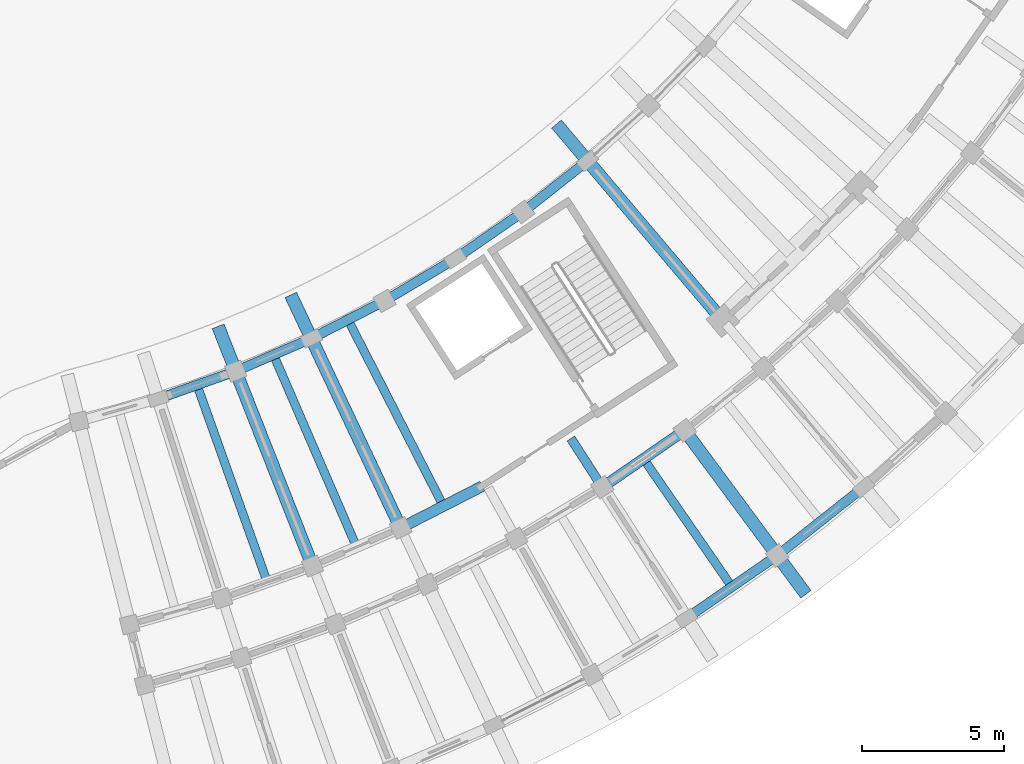
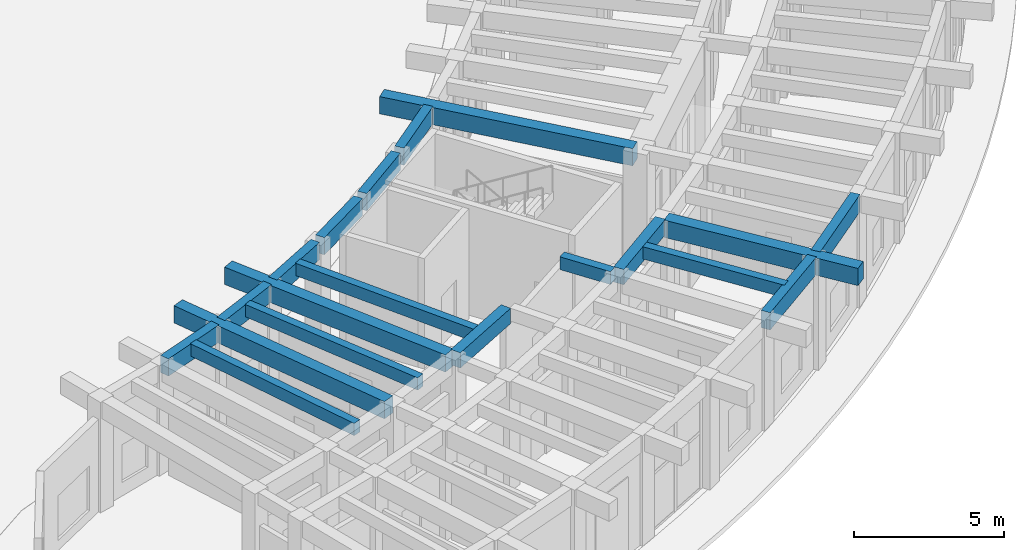
# One storey, part 54 of 132: 19 beams.
"""IFC4 building model written with IfcOpenShell, lengths in metres."""

from ifc_helpers import new_model, si_unit, direction, frame, origin, origin_2d, place, context, subcontext, project, spatial, rectangle, extrude, material, material_profile, profile_set, type_object, element, save


model = new_model("IFC4")

# Units and contexts
model_context = context("Model", 3, precision=1e-05, world=origin(), true_north=direction((0.0, 1.0)))
body_context = subcontext(model_context, "Body", "Model", "MODEL_VIEW")
ifc_project = project(units=[si_unit("LENGTHUNIT", "METRE"), si_unit("AREAUNIT", "SQUARE_METRE"), si_unit("VOLUMEUNIT", "CUBIC_METRE"), si_unit("PLANEANGLEUNIT", "RADIAN"), si_unit("MASSUNIT", "GRAM", prefix="KILO")], contexts=[model_context])

# Site, building, storey
site_placement = place(None, origin())
site = spatial("IfcSite", under=ifc_project, at=site_placement, CompositionType="ELEMENT")
building_placement = place(site_placement, origin())
building = spatial("IfcBuilding", under=site, at=building_placement, Name="Tanwirah Colonnade Gardens", CompositionType="ELEMENT")
storey_placement = place(building_placement, origin())
storey = spatial("IfcBuildingStorey", under=building, at=storey_placement, Name="L00", CompositionType="ELEMENT", Elevation=0.0)

# Beams
ifc_material_1 = material(Name="Precast concrete C40/50", Category="concrete")
ifc_material_profile_1 = material_profile(ifc_material_1, rectangle(XDim=0.320068359375, YDim=0.52001953125, at=origin_2d()), Name="PC-BM 320x520")
ifc_profile_set_1 = profile_set([ifc_material_profile_1], Name="Precast concrete C40/50")
beam_type_1 = type_object("IfcBeamType", Name="BM-PC320", PredefinedType="BEAM", material=ifc_profile_set_1)
beam_1_placement = place(storey_placement, frame((149.130615234375, 20.765869140625, 4.22509765625), z_axis=(0.540984881989, -0.841032316537, 0.0), x_axis=(0.841032316537, 0.540984881989, 0.0)))
element("IfcBeam", 1, at=beam_1_placement, inside=storey, type_object=beam_type_1, Name="Block D L00 Corridor Tie Beam 5", PredefinedType="BEAM", context=body_context, shape_type="SweptSolid", body=[
    extrude(rectangle(XDim=0.320068359375, YDim=0.52001953125, at=origin_2d()), origin(), (0.0, 0.0, 1.0), 1.89990234375),
])
ifc_material_profile_2 = material_profile(ifc_material_1, rectangle(XDim=0.3798828125, YDim=0.6201171875, at=origin_2d()), Name="PC-BM 380x620")
ifc_profile_set_2 = profile_set([ifc_material_profile_2], Name="Precast concrete C40/50")
beam_type_2 = type_object("IfcBeamType", Name="BM-PC380", PredefinedType="BEAM", material=ifc_profile_set_2)
beam_2_placement = place(storey_placement, frame((143.2509765625, 17.67236328125, 4.175048828125), z_axis=(0.890027741769, 0.45590637074, 0.0), x_axis=(-0.45590637074, 0.890027741769, 0.0)))
element("IfcBeam", 2, at=beam_2_placement, inside=storey, type_object=beam_type_2, Name="Block D L00 Circumferential Beam 3-R1", PredefinedType="BEAM", context=body_context, shape_type="SweptSolid", body=[
    extrude(rectangle(XDim=0.3798828125, YDim=0.6201171875, at=origin_2d()), origin(), (0.0, 0.0, 1.0), 3.093017578125),
])
beam_3_placement = place(storey_placement, frame((150.363037109375, 19.126953125, 4.175048828125), z_axis=(0.822889344221, 0.568201660651, 0.0), x_axis=(-0.568201660651, 0.822889344221, 0.0)))
element("IfcBeam", 3, at=beam_3_placement, inside=storey, type_object=beam_type_2, Name="Block D L00 Circumferential Beam 5-R2", PredefinedType="BEAM", context=body_context, shape_type="SweptSolid", body=[
    extrude(rectangle(XDim=0.3798828125, YDim=0.6201171875, at=origin_2d()), origin(), (0.0, 0.0, 1.0), 3.237060546875),
])
ifc_material_2 = material(Name="Precast concrete C45/55", Category="concrete")
ifc_material_profile_3 = material_profile(ifc_material_2, rectangle(XDim=0.449951171875, YDim=0.699951171875, at=origin_2d()), Name="PC-BM 450x700")
ifc_profile_set_3 = profile_set([ifc_material_profile_3], Name="Precast concrete C45/55")
beam_type_3 = type_object("IfcBeamType", Name="BM-PC450", PredefinedType="BEAM", material=ifc_profile_set_3)
for number, where, z_axis, x_axis, name in (
    (4, (139.947998046875, 16.3974609375, 4.135009765625), (-0.36648945479, 0.930422204984, 0.0), (-0.930422204984, -0.36648945479, 0.0), "Block D L00 Inner Radial Precast Girder 2"),
    (5, (143.0537109375, 17.73974609375, 4.135009765625), (-0.426582468098, 0.904448670689, 0.0), (-0.904448670689, -0.426582468098, 0.0), "Block D L00 Inner Radial Precast Girder 3"),
):
    element("IfcBeam", number, at=place(storey_placement, frame(where, z_axis=z_axis, x_axis=x_axis)), inside=storey, type_object=beam_type_3, Name=name, PredefinedType="BEAM", context=body_context, shape_type="SweptSolid", body=[
        extrude(rectangle(XDim=0.449951171875, YDim=0.699951171875, at=origin_2d()), origin(), (0.0, 0.0, 1.0), 8.949951171875),
    ])
beam_4_placement = place(storey_placement, frame((153.239501953125, 20.930908203125, 4.135009765625), z_axis=(0.594806754627, -0.803868723518, 0.0), x_axis=(0.803868723518, 0.594806754627, 0.0)))
element("IfcBeam", 6, at=beam_4_placement, inside=storey, type_object=beam_type_3, Name="Block D L00 Outer Radial Precast Girder 6", PredefinedType="BEAM", context=body_context, shape_type="SweptSolid", body=[
    extrude(rectangle(XDim=0.449951171875, YDim=0.699951171875, at=origin_2d()), origin(), (0.0, 0.0, 1.0), 7.050048828125),
])
beam_5_placement = place(storey_placement, frame((154.404541015625, 25.040771484375, 4.135009765625), z_axis=(-0.64611097415, 0.763243479554, 0.0), x_axis=(-0.763243479554, -0.64611097415, 0.0)))
element("IfcBeam", 7, at=beam_5_placement, inside=storey, type_object=beam_type_3, Name="Block D L00 Inner Radial Precast Girder 7", PredefinedType="BEAM", context=body_context, shape_type="SweptSolid", body=[
    extrude(rectangle(XDim=0.449951171875, YDim=0.699951171875, at=origin_2d()), origin(), (0.0, 0.0, 1.0), 8.949951171875),
])
ifc_material_profile_4 = material_profile(ifc_material_1, rectangle(XDim=0.300048828125, YDim=0.5, at=origin_2d()), Name="PC-JST 300x500")
ifc_profile_set_4 = profile_set([ifc_material_profile_4], Name="Precast concrete C40/50")
beam_type_4 = type_object("IfcBeamType", Name="JST-PC300", PredefinedType="JOIST", material=ifc_profile_set_4)
beam_6_placement = place(storey_placement, frame((135.969482421875, 22.51904296875, 4.235107421875), z_axis=(0.335861148107, -0.941911508154, 0.0), x_axis=(0.941911508154, 0.335861148107, 0.0)))
element("IfcBeam", 8, at=beam_6_placement, inside=storey, type_object=beam_type_4, Name="Block D L00 Inner Precast Floor Joist 1", PredefinedType="JOIST", context=body_context, shape_type="SweptSolid", body=[
    extrude(rectangle(XDim=0.300048828125, YDim=0.5, at=origin_2d()), origin(), (0.0, 0.0, 1.0), 7.16015625),
])
for number, where, z_axis, x_axis, name in (
    (9, (138.68310546875, 23.587890625, 4.235107421875), (0.396736454079, -0.917932560706, 0.0), (0.917932560706, 0.396736454079, 0.0), "Block D L00 Inner Precast Floor Joist 2"),
    (10, (141.321044921875, 24.83203125, 4.235107421875), (0.455921327553, -0.890020080157, 0.0), (0.890020080157, 0.455921327553, 0.0), "Block D L00 Inner Precast Floor Joist 3"),
):
    element("IfcBeam", number, at=place(storey_placement, frame(where, z_axis=z_axis, x_axis=x_axis)), inside=storey, type_object=beam_type_4, Name=name, PredefinedType="JOIST", context=body_context, shape_type="SweptSolid", body=[
        extrude(rectangle(XDim=0.300048828125, YDim=0.5, at=origin_2d()), origin(), (0.0, 0.0, 1.0), 7.159912109375),
    ])
beam_7_placement = place(storey_placement, frame((151.779541015625, 19.924072265625, 4.235107421875), z_axis=(0.56820792868, -0.822885016138, 0.0), x_axis=(0.822885016138, 0.56820792868, 0.0)))
element("IfcBeam", 11, at=beam_7_placement, inside=storey, type_object=beam_type_4, Name="Block D L00 Precast Floor Joist 5", PredefinedType="JOIST", context=body_context, shape_type="SweptSolid", body=[
    extrude(rectangle(XDim=0.300048828125, YDim=0.5, at=origin_2d()), origin(), (0.0, 0.0, 1.0), 5.260009765625),
])
ifc_material_profile_5 = material_profile(ifc_material_2, rectangle(XDim=0.340087890625, YDim=0.699951171875, at=origin_2d()), Name="PC-SP 340x700")
ifc_profile_set_5 = profile_set([ifc_material_profile_5], Name="Precast concrete C45/55")
beam_type_5 = type_object("IfcBeamType", Name="SP-PC340", PredefinedType="SPANDREL", material=ifc_profile_set_5)
for number, where, z_axis, x_axis, name in (
    (12, (134.692626953125, 22.21630859375, 4.135009765625), (0.941898499992, 0.335897626835, 0.0), (-0.335897626835, 0.941898499992, 0.0), "Block D L00 Circumferential Beam 1-R0"),
    (13, (137.4287109375, 23.202392578125, 4.135009765625), (0.917901260915, 0.396808864833, 0.0), (-0.396808864833, 0.917901260915, 0.0), "Block D L00 Circumferential Beam 2-R0"),
    (14, (140.094482421875, 24.365478515625, 4.135009765625), (0.890042438658, 0.455877678097, 0.0), (-0.455877678097, 0.890042438658, 0.0), "Block D L00 Circumferential Beam 3-R0"),
    (15, (142.678466796875, 25.7001953125, 4.135009765625), (0.858301131151, 0.513146341958, 0.0), (-0.513146341958, 0.858301131151, 0.0), "Block D L00 Circumferential Beam 4-R0"),
):
    element("IfcBeam", number, at=place(storey_placement, frame(where, z_axis=z_axis, x_axis=x_axis)), inside=storey, type_object=beam_type_5, Name=name, PredefinedType="SPANDREL", context=body_context, shape_type="SweptSolid", body=[
        extrude(rectangle(XDim=0.340087890625, YDim=0.699951171875, at=origin_2d()), origin(), (0.0, 0.0, 1.0), 2.608642578125),
    ])
beam_8_placement = place(storey_placement, frame((145.169677734375, 27.200927734375, 4.135009765625), z_axis=(0.822868771031, 0.568231454305, 0.0), x_axis=(-0.568231454305, 0.822868771031, 0.0)))
element("IfcBeam", 16, at=beam_8_placement, inside=storey, type_object=beam_type_5, Name="Block D L00 Circumferential Beam 5-R0", PredefinedType="SPANDREL", context=body_context, shape_type="SweptSolid", body=[
    extrude(rectangle(XDim=0.340087890625, YDim=0.699951171875, at=origin_2d()), origin(), (0.0, 0.0, 1.0), 2.60888671875),
])
beam_9_placement = place(storey_placement, frame((153.33837890625, 14.50146484375, 4.135009765625), z_axis=(0.822907478943, 0.568175396423, 0.0), x_axis=(-0.568175396423, 0.822907478943, 0.0)))
element("IfcBeam", 17, at=beam_9_placement, inside=storey, type_object=beam_type_5, Name="Block D L00 Circumferential Beam 5-R3", PredefinedType="SPANDREL", context=body_context, shape_type="SweptSolid", body=[
    extrude(rectangle(XDim=0.340087890625, YDim=0.699951171875, at=origin_2d()), origin(), (0.0, 0.0, 1.0), 3.596923828125),
])
beam_10_placement = place(storey_placement, frame((147.557373046875, 28.861572265625, 4.135009765625), z_axis=(0.783945239852, 0.62082997746, 0.0), x_axis=(-0.62082997746, 0.783945239852, 0.0)))
element("IfcBeam", 18, at=beam_10_placement, inside=storey, type_object=beam_type_5, Name="Block D L00 Circumferential Beam 6-R0", PredefinedType="SPANDREL", context=body_context, shape_type="SweptSolid", body=[
    extrude(rectangle(XDim=0.340087890625, YDim=0.699951171875, at=origin_2d()), origin(), (0.0, 0.0, 1.0), 2.60888671875),
])
beam_11_placement = place(storey_placement, frame((156.539306640625, 16.723388671875, 4.135009765625), z_axis=(0.783971495357, 0.620796822211, 0.0), x_axis=(-0.620796822211, 0.783971495357, 0.0)))
element("IfcBeam", 19, at=beam_11_placement, inside=storey, type_object=beam_type_5, Name="Block D L00 Circumferential Beam 6-R3", PredefinedType="SPANDREL", context=body_context, shape_type="SweptSolid", body=[
    extrude(rectangle(XDim=0.340087890625, YDim=0.699951171875, at=origin_2d()), origin(), (0.0, 0.0, 1.0), 3.596923828125),
])

save(model, "model.ifc")
